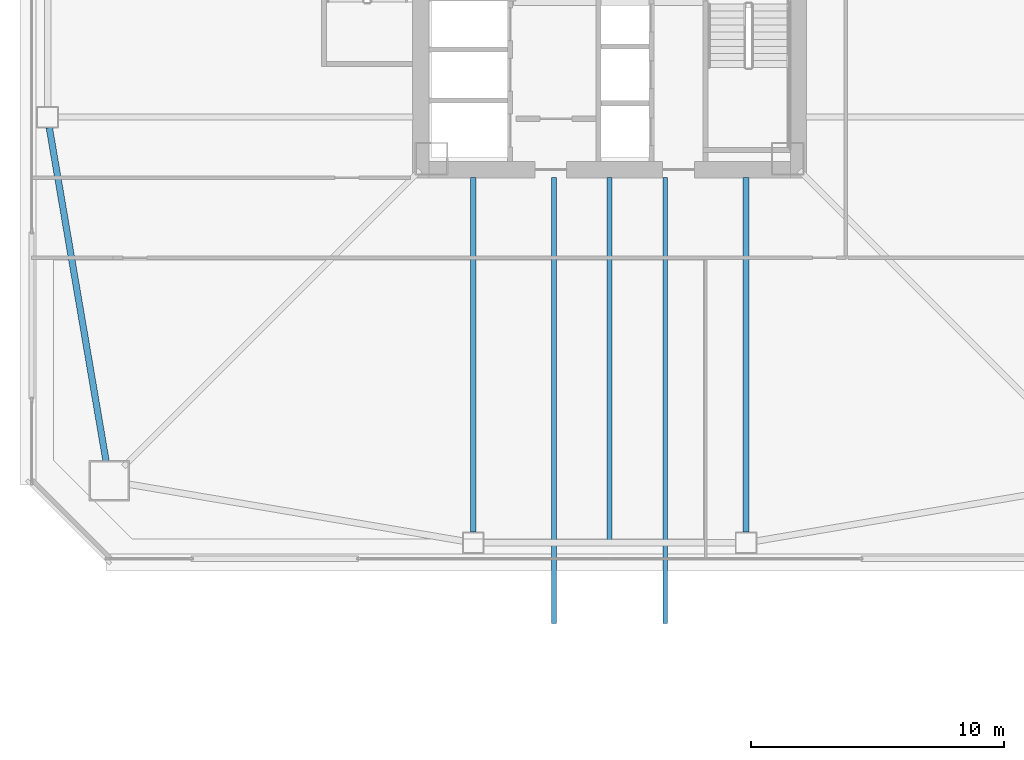
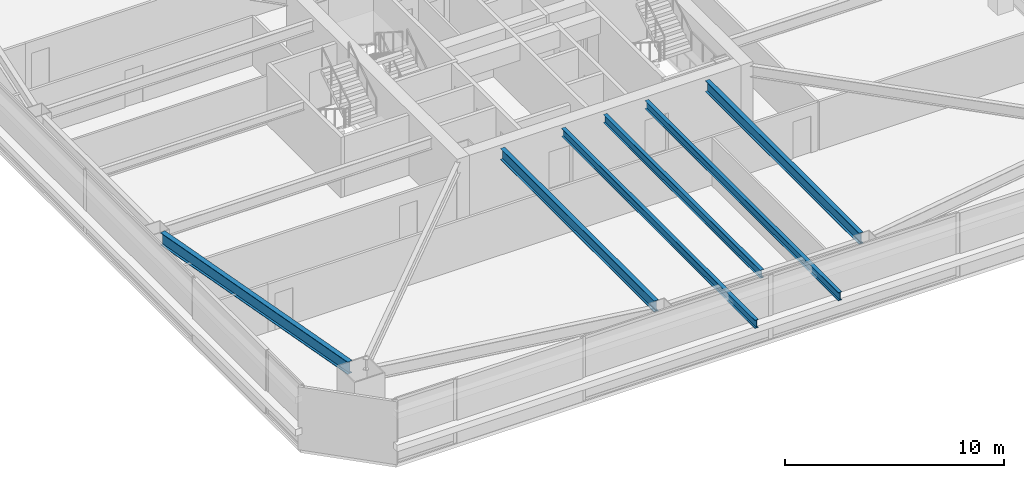
# One storey, part 6 of 48: 6 beams.
"""IFC4 building model written with IfcOpenShell, lengths in metres."""

from ifc_helpers import new_model, si_unit, direction, frame, origin, origin_2d, place, context, subcontext, project, spatial, i_section, extrude, material, material_profile, profile_set, type_object, element, save


model = new_model("IFC4")

# Units and contexts
model_context = context("Model", 3, precision=1e-05, world=origin(), true_north=direction((0.0, 1.0)))
body_context = subcontext(model_context, "Body", "Model", "MODEL_VIEW")
ifc_project = project(units=[si_unit("LENGTHUNIT", "METRE"), si_unit("AREAUNIT", "SQUARE_METRE"), si_unit("VOLUMEUNIT", "CUBIC_METRE"), si_unit("PLANEANGLEUNIT", "RADIAN"), si_unit("MASSUNIT", "GRAM", prefix="KILO")], contexts=[model_context])

# Site, building, storey
site_placement = place(None, origin())
site = spatial("IfcSite", under=ifc_project, at=site_placement, CompositionType="ELEMENT")
building_placement = place(site_placement, origin())
building = spatial("IfcBuilding", under=site, at=building_placement, Name="Tashvorn Skyway Center", CompositionType="ELEMENT")
storey_placement = place(building_placement, frame((0.0, 0.0, 53.0)))
storey = spatial("IfcBuildingStorey", under=building, at=storey_placement, Name="L13", CompositionType="ELEMENT", Elevation=53.0)

# Beams
ifc_material = material(Name="Steel ASTM A992 Grade 50", Category="steel")
ifc_material_profile_1 = material_profile(ifc_material, i_section(OverallWidth=0.22998046875, OverallDepth=0.616943359375, WebThickness=0.01318359375, FlangeThickness=0.022216796875, at=origin_2d()), Name="W24X94")
ifc_profile_set_1 = profile_set([ifc_material_profile_1], Name="Steel ASTM A992 Grade 50")
beam_type_1 = type_object("IfcBeamType", Name="BM-BEAM-W24X94", PredefinedType="BEAM", material=ifc_profile_set_1)
for number, where, z_axis, x_axis, name in (
    (1, (36.60009765625, 10.169921875, 3.04150390625), (0.0, 1.0, 0.0), (-1.0, 0.0, 0.0), "Tower 1 L13 Primary Floor Girder FC-S1"),
    (2, (47.39990234375, 10.169921875, 3.04150390625), (0.0, 1.0, 0.0), (-1.0, 0.0, 0.0), "Tower 1 L13 Primary Floor Girder FC-S2"),
):
    element("IfcBeam", number, at=place(storey_placement, frame(where, z_axis=z_axis, x_axis=x_axis)), inside=storey, type_object=beam_type_1, Name=name, PredefinedType="BEAM", context=body_context, shape_type="SweptSolid", body=[
        extrude(i_section(OverallWidth=0.22998046875, OverallDepth=0.616943359375, WebThickness=0.01318359375, FlangeThickness=0.022216796875, at=origin_2d()), origin(), (0.0, 0.0, 1.0), 14.050048828125),
    ])
ifc_material_profile_2 = material_profile(ifc_material, i_section(OverallWidth=0.19091796875, OverallDepth=0.4599609375, WebThickness=0.010009765625, FlangeThickness=0.01611328125, at=origin_2d()), Name="W18X55")
ifc_profile_set_2 = profile_set([ifc_material_profile_2], Name="Steel ASTM A992 Grade 50")
beam_type_2 = type_object("IfcBeamType", Name="BM-JOIST-W18X55", PredefinedType="JOIST", material=ifc_profile_set_2)
beam_1_placement = place(storey_placement, frame((42.0, 24.2099609375, 3.1201171875), z_axis=(0.0, -1.0, 0.0), x_axis=(1.0, 0.0, 0.0)))
element("IfcBeam", 3, at=beam_1_placement, inside=storey, type_object=beam_type_2, Name="Tower 1 L13 Secondary Composite Joist JS", PredefinedType="JOIST", context=body_context, shape_type="SweptSolid", body=[
    extrude(i_section(OverallWidth=0.19091796875, OverallDepth=0.4599609375, WebThickness=0.010009765625, FlangeThickness=0.01611328125, at=origin_2d()), origin(), (0.0, 0.0, 1.0), 14.33984375),
])
for number, where, z_axis, x_axis, name in (
    (4, (39.800048828125, 24.219970703125, 3.1201171875), (0.0, -1.0, 0.0), (1.0, 0.0, 0.0), "Tower 1 L14 Terrace Cantilever Outlooker 1"),
    (5, (44.199951171875, 24.219970703125, 3.1201171875), (0.0, -1.0, 0.0), (1.0, 0.0, 0.0), "Tower 1 L14 Terrace Cantilever Outlooker 2"),
):
    element("IfcBeam", number, at=place(storey_placement, frame(where, z_axis=z_axis, x_axis=x_axis)), inside=storey, type_object=beam_type_2, Name=name, PredefinedType="JOIST", context=body_context, shape_type="SweptSolid", body=[
        extrude(i_section(OverallWidth=0.19091796875, OverallDepth=0.4599609375, WebThickness=0.010009765625, FlangeThickness=0.01611328125, at=origin_2d()), origin(), (0.0, 0.0, 1.0), 17.669921875),
    ])
ifc_material_profile_3 = material_profile(ifc_material, i_section(OverallWidth=0.256103515625, OverallDepth=0.693115234375, WebThickness=0.014404296875, FlangeThickness=0.023681640625, at=origin_2d()), Name="W27X114")
ifc_profile_set_3 = profile_set([ifc_material_profile_3], Name="Steel ASTM A992 Grade 50")
beam_type_3 = type_object("IfcBeamType", Name="BM-SPANDREL-W27X114", PredefinedType="SPANDREL", material=ifc_profile_set_3)
beam_2_placement = place(storey_placement, frame((19.820556640625, 26.18603515625, 3.00341796875), z_axis=(0.16771792509, -0.985835025551, 0.0), x_axis=(0.985835025551, 0.16771792509, 0.0)))
element("IfcBeam", 6, at=beam_2_placement, inside=storey, type_object=beam_type_3, Name="Tower 1 L13 Spandrel Beam 12", PredefinedType="SPANDREL", context=body_context, shape_type="SweptSolid", body=[
    extrude(i_section(OverallWidth=0.256103515625, OverallDepth=0.693115234375, WebThickness=0.014404296875, FlangeThickness=0.023681640625, at=origin_2d()), origin(), (0.0, 0.0, 1.0), 13.39208984375),
])

save(model, "model.ifc")
